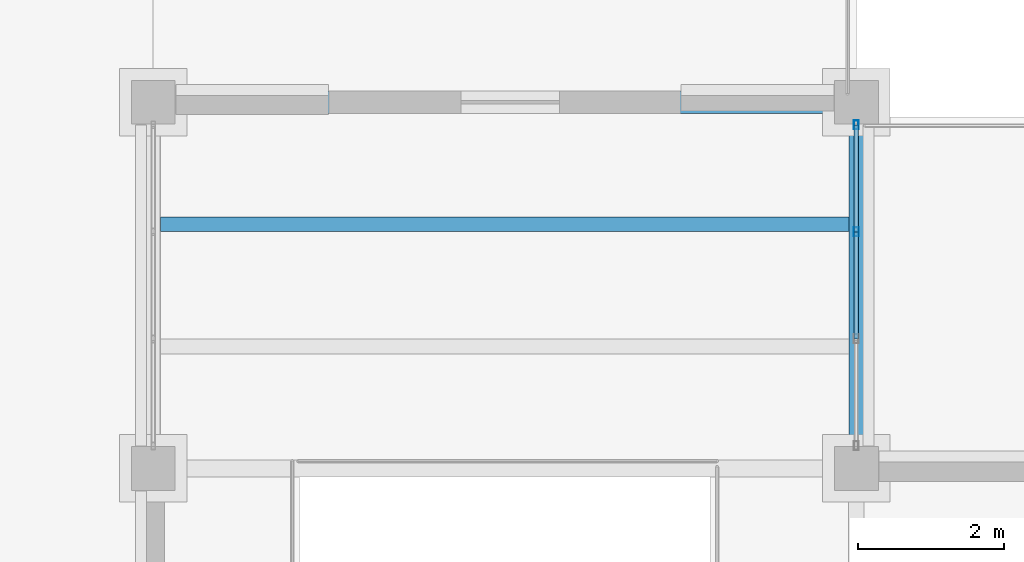
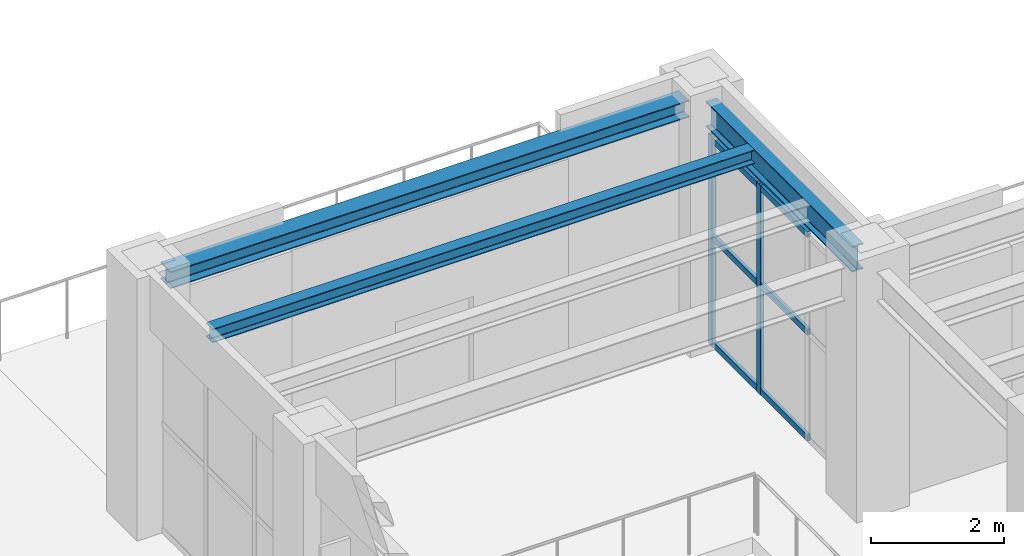
# One storey, part 27 of 83: 8 members, 3 beams, 1 element without a shape of its own.
"""IFC4 building model written with IfcOpenShell, lengths in metres."""

from ifc_helpers import new_model, si_unit, direction, frame, origin, origin_2d, place, context, subcontext, project, spatial, hollow_rectangle, i_section, extrude, material, material_profile, profile_set, type_object, element, aggregate, save


model = new_model("IFC4")

# Units and contexts
model_context = context("Model", 3, precision=1e-05, world=origin(), true_north=direction((0.0, 1.0)))
body_context = subcontext(model_context, "Body", "Model", "MODEL_VIEW")
ifc_project = project(units=[si_unit("LENGTHUNIT", "METRE"), si_unit("AREAUNIT", "SQUARE_METRE"), si_unit("VOLUMEUNIT", "CUBIC_METRE"), si_unit("PLANEANGLEUNIT", "RADIAN"), si_unit("MASSUNIT", "GRAM", prefix="KILO")], contexts=[model_context])

# Site, building, storey
site_placement = place(None, origin())
site = spatial("IfcSite", under=ifc_project, at=site_placement, CompositionType="ELEMENT")
building_placement = place(site_placement, origin())
building = spatial("IfcBuilding", under=site, at=building_placement, Name="Mavantir Sound Aquarium", CompositionType="ELEMENT")
storey_placement = place(building_placement, frame((0.0, 0.0, 10.5)))
storey = spatial("IfcBuildingStorey", under=building, at=storey_placement, Name="L02", CompositionType="ELEMENT", Elevation=10.5)

# Beams
ifc_material_1 = material(Name="Structural Steel ASTM A992 Gr50", Category="steel")
ifc_material_profile_1 = material_profile(ifc_material_1, i_section(OverallWidth=0.202880859375, OverallDepth=0.251953125, WebThickness=0.008056640625, FlangeThickness=0.013427734375, FilletRadius=0.011962890625, at=origin_2d()), Name="W250X58")
ifc_profile_set_1 = profile_set([ifc_material_profile_1], Name="Structural Steel ASTM A992 Gr50")
beam_type_1 = type_object("IfcBeamType", Name="BM-W250X58-I", PredefinedType="JOIST", material=ifc_profile_set_1)
beam_1_placement = place(storey_placement, frame((108.10009765625, 89.13330078125, 4.360107421875), z_axis=(1.0, 0.0, 0.0), x_axis=(0.0, 1.0, 0.0)))
element("IfcBeam", 1, at=beam_1_placement, inside=storey, type_object=beam_type_1, Name="L02 secondary floor joist SJ-25 952", PredefinedType="JOIST", context=body_context, shape_type="SweptSolid", body=[
    extrude(i_section(OverallWidth=0.202880859375, OverallDepth=0.251953125, WebThickness=0.008056640625, FlangeThickness=0.013427734375, FilletRadius=0.011962890625, at=origin_2d()), origin(), (0.0, 0.0, 1.0), 9.40283203125),
])
ifc_material_profile_2 = material_profile(ifc_material_1, i_section(OverallWidth=0.304931640625, OverallDepth=0.30810546875, WebThickness=0.010009765625, FlangeThickness=0.015380859375, FilletRadius=0.014892578125, at=origin_2d()), Name="W310X97")
ifc_profile_set_2 = profile_set([ifc_material_profile_2], Name="Structural Steel ASTM A992 Gr50")
beam_type_2 = type_object("IfcBeamType", Name="BM-W310X97-E", PredefinedType="SPANDREL", material=ifc_profile_set_2)
beam_2_placement = place(storey_placement, frame((108.300048828125, 90.800048828125, 4.33203125), z_axis=(1.0, 0.0, 0.0), x_axis=(0.0, 1.0, 0.0)))
element("IfcBeam", 2, at=beam_2_placement, inside=storey, type_object=beam_type_2, Name="L02 primary beam SS-31A 1551", PredefinedType="SPANDREL", context=body_context, shape_type="SweptSolid", body=[
    extrude(i_section(OverallWidth=0.304931640625, OverallDepth=0.30810546875, WebThickness=0.010009765625, FlangeThickness=0.015380859375, FilletRadius=0.014892578125, at=origin_2d()), origin(), (0.0, 0.0, 1.0), 9.0),
])
ifc_material_profile_3 = material_profile(ifc_material_1, i_section(OverallWidth=0.194091796875, OverallDepth=0.468994140625, WebThickness=0.0126953125, FlangeThickness=0.0205078125, FilletRadius=0.01611328125, at=origin_2d()), Name="W460X106")
ifc_profile_set_3 = profile_set([ifc_material_profile_3], Name="Structural Steel ASTM A992 Gr50")
beam_type_3 = type_object("IfcBeamType", Name="BM-W460X106-I", PredefinedType="BEAM", material=ifc_profile_set_3)
beam_3_placement = place(storey_placement, frame((117.60009765625, 86.10009765625, 4.25146484375), z_axis=(0.0, 1.0, 0.0), x_axis=(-1.0, 0.0, 0.0)))
element("IfcBeam", 3, at=beam_3_placement, inside=storey, type_object=beam_type_3, Name="L02 primary girder SB-46 1569", PredefinedType="BEAM", context=body_context, shape_type="SweptSolid", body=[
    extrude(i_section(OverallWidth=0.194091796875, OverallDepth=0.468994140625, WebThickness=0.0126953125, FlangeThickness=0.0205078125, FilletRadius=0.01611328125, at=origin_2d()), origin(), (0.0, 0.0, 1.0), 4.39990234375),
])

# Curtain wall, members
ifc_material_2 = material(Name="Anodised Marine Aluminium and Low-E Glass", Category="aluminium")
curtain_wall_type = type_object("IfcCurtainWallType", Name="CW-T12", PredefinedType="USERDEFINED", material=ifc_material_2)
curtain_wall_placement = place(storey_placement, origin())
curtain_wall = element("IfcCurtainWall", 4, at=curtain_wall_placement, inside=storey, type_object=curtain_wall_type, Name="L02 unitised curtain wall CW-12 132", ObjectType="UNITISED GLAZING", PredefinedType="USERDEFINED")
ifc_material_3 = material(Name="Anodised Marine Aluminium 6063-T6", Category="aluminium")
ifc_material_profile_4 = material_profile(ifc_material_3, hollow_rectangle(XDim=0.06494140625, YDim=0.1201171875, WallThickness=0.00390625, at=origin_2d()), Name="ALU-MULLION-120X65")
ifc_profile_set_4 = profile_set([ifc_material_profile_4], Name="Anodised Marine Aluminium 6063-T6")
member_type_1 = type_object("IfcMemberType", Name="CW-MUL-120", PredefinedType="MULLION", material=ifc_profile_set_4)
member_1_placement = place(storey_placement, frame((117.60009765625, 89.03076171875, 0.0), z_axis=(0.0, 0.0, 1.0), x_axis=(1.0, 0.0, 0.0)))
member_1 = element("IfcMember", 5, at=member_1_placement, type_object=member_type_1, Name="CW-L02-132 vertical mullion 3", PredefinedType="MULLION", context=body_context, shape_type="SweptSolid", body=[
    extrude(hollow_rectangle(XDim=0.06494140625, YDim=0.1201171875, WallThickness=0.00390625, at=origin_2d()), origin(), (0.0, 0.0, 1.0), 3.843994140625),
])
member_2_placement = place(storey_placement, frame((117.60009765625, 90.491943359375, 0.0), z_axis=(0.0, 0.0, 1.0), x_axis=(1.0, 0.0, 0.0)))
member_2 = element("IfcMember", 6, at=member_2_placement, type_object=member_type_1, Name="CW-L02-132 vertical mullion 4", PredefinedType="MULLION", context=body_context, shape_type="SweptSolid", body=[
    extrude(hollow_rectangle(XDim=0.06494140625, YDim=0.1201171875, WallThickness=0.00390625, at=origin_2d()), origin(), (0.0, 0.0, 1.0), 3.843994140625),
])
ifc_material_profile_5 = material_profile(ifc_material_3, hollow_rectangle(XDim=0.06005859375, YDim=0.110107421875, WallThickness=0.00390625, at=origin_2d()), Name="ALU-TRANSOM-110X60")
ifc_profile_set_5 = profile_set([ifc_material_profile_5], Name="Anodised Marine Aluminium 6063-T6")
member_type_2 = type_object("IfcMemberType", Name="CW-TRN-110", PredefinedType="USERDEFINED", material=ifc_profile_set_5)
member_3_placement = place(storey_placement, frame((117.60009765625, 87.5693359375, 0.054931640625), z_axis=(0.0, 1.0, 0.0), x_axis=(-1.0, 0.0, 0.0)))
member_3 = element("IfcMember", 7, at=member_3_placement, type_object=member_type_2, Name="CW-L02-132 transom 2.1", ObjectType="TRANSOM", PredefinedType="USERDEFINED", context=body_context, shape_type="SweptSolid", body=[
    extrude(hollow_rectangle(XDim=0.06005859375, YDim=0.110107421875, WallThickness=0.00390625, at=origin_2d()), origin(), (0.0, 0.0, 1.0), 1.46142578125),
])
member_4_placement = place(storey_placement, frame((117.60009765625, 87.5693359375, 1.998779296875), z_axis=(0.0, 1.0, 0.0), x_axis=(-1.0, 0.0, 0.0)))
member_4 = element("IfcMember", 8, at=member_4_placement, type_object=member_type_2, Name="CW-L02-132 transom 2.2", ObjectType="TRANSOM", PredefinedType="USERDEFINED", context=body_context, shape_type="SweptSolid", body=[
    extrude(hollow_rectangle(XDim=0.06005859375, YDim=0.110107421875, WallThickness=0.00390625, at=origin_2d()), origin(), (0.0, 0.0, 1.0), 1.46142578125),
])
member_5_placement = place(storey_placement, frame((117.60009765625, 87.5693359375, 3.7890625), z_axis=(0.0, 1.0, 0.0), x_axis=(-1.0, 0.0, 0.0)))
member_5 = element("IfcMember", 9, at=member_5_placement, type_object=member_type_2, Name="CW-L02-132 transom 2.3", ObjectType="TRANSOM", PredefinedType="USERDEFINED", context=body_context, shape_type="SweptSolid", body=[
    extrude(hollow_rectangle(XDim=0.06005859375, YDim=0.110107421875, WallThickness=0.00390625, at=origin_2d()), origin(), (0.0, 0.0, 1.0), 1.46142578125),
])
member_6_placement = place(storey_placement, frame((117.60009765625, 89.03076171875, 0.054931640625), z_axis=(0.0, 1.0, 0.0), x_axis=(-1.0, 0.0, 0.0)))
member_6 = element("IfcMember", 10, at=member_6_placement, type_object=member_type_2, Name="CW-L02-132 transom 3.1", ObjectType="TRANSOM", PredefinedType="USERDEFINED", context=body_context, shape_type="SweptSolid", body=[
    extrude(hollow_rectangle(XDim=0.06005859375, YDim=0.110107421875, WallThickness=0.00390625, at=origin_2d()), origin(), (0.0, 0.0, 1.0), 1.461181640625),
])
member_7_placement = place(storey_placement, frame((117.60009765625, 89.03076171875, 1.998779296875), z_axis=(0.0, 1.0, 0.0), x_axis=(-1.0, 0.0, 0.0)))
member_7 = element("IfcMember", 11, at=member_7_placement, type_object=member_type_2, Name="CW-L02-132 transom 3.2", ObjectType="TRANSOM", PredefinedType="USERDEFINED", context=body_context, shape_type="SweptSolid", body=[
    extrude(hollow_rectangle(XDim=0.06005859375, YDim=0.110107421875, WallThickness=0.00390625, at=origin_2d()), origin(), (0.0, 0.0, 1.0), 1.461181640625),
])
member_8_placement = place(storey_placement, frame((117.60009765625, 89.03076171875, 3.7890625), z_axis=(0.0, 1.0, 0.0), x_axis=(-1.0, 0.0, 0.0)))
member_8 = element("IfcMember", 12, at=member_8_placement, type_object=member_type_2, Name="CW-L02-132 transom 3.3", ObjectType="TRANSOM", PredefinedType="USERDEFINED", context=body_context, shape_type="SweptSolid", body=[
    extrude(hollow_rectangle(XDim=0.06005859375, YDim=0.110107421875, WallThickness=0.00390625, at=origin_2d()), origin(), (0.0, 0.0, 1.0), 1.461181640625),
])
aggregate(curtain_wall, [member_1, member_2, member_3, member_4, member_5, member_6, member_7, member_8])

save(model, "model.ifc")
